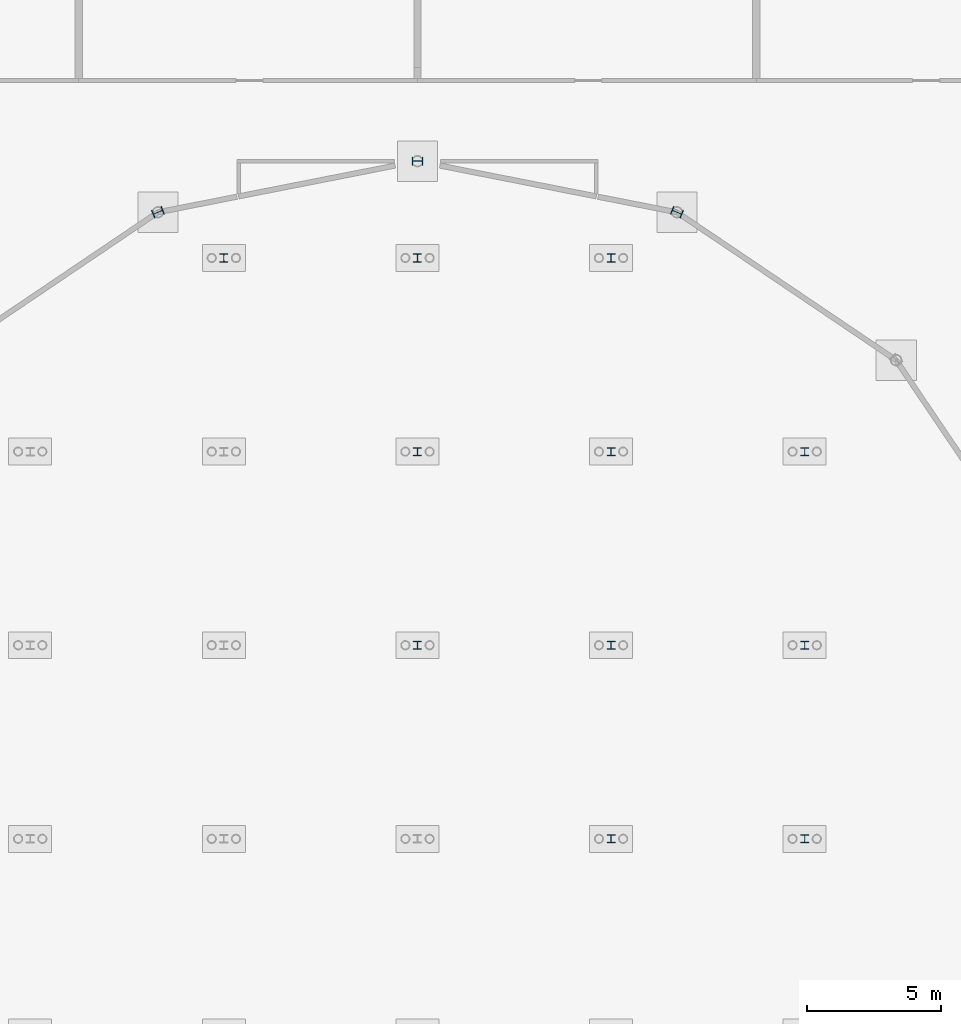
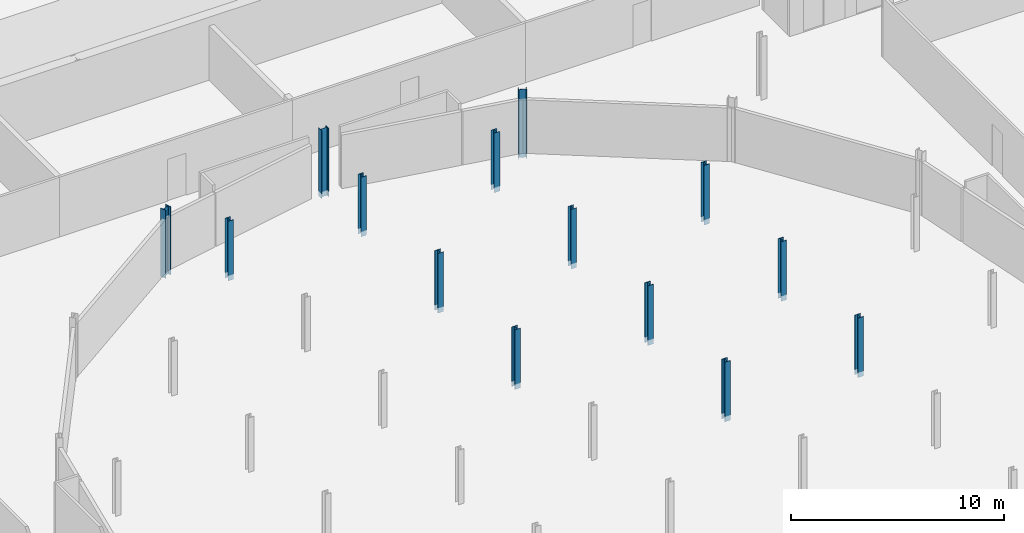
# One storey, part 47 of 148: 14 columns.
"""IFC4 building model written with IfcOpenShell, lengths in metres."""

from ifc_helpers import new_model, si_unit, direction, frame, origin, origin_2d, place, context, subcontext, project, spatial, i_section, extrude, material, material_profile, profile_set, type_object, element, save


model = new_model("IFC4")

# Units and contexts
model_context = context("Model", 3, precision=1e-05, world=origin(), true_north=direction((0.0, 1.0)))
body_context = subcontext(model_context, "Body", "Model", "MODEL_VIEW")
ifc_project = project(units=[si_unit("LENGTHUNIT", "METRE"), si_unit("AREAUNIT", "SQUARE_METRE"), si_unit("VOLUMEUNIT", "CUBIC_METRE"), si_unit("PLANEANGLEUNIT", "RADIAN"), si_unit("MASSUNIT", "GRAM", prefix="KILO")], contexts=[model_context])

# Site, building, storey
site_placement = place(None, origin())
site = spatial("IfcSite", under=ifc_project, at=site_placement, CompositionType="ELEMENT")
building_placement = place(site_placement, origin())
building = spatial("IfcBuilding", under=site, at=building_placement, Name="Kupolbacken Congress Centre", CompositionType="ELEMENT")
storey_placement = place(building_placement, origin())
storey = spatial("IfcBuildingStorey", under=building, at=storey_placement, Name="L00", CompositionType="ELEMENT", Elevation=0.0)

# Columns
ifc_material_1 = material(Name="Steel S355", Category="steel")
ifc_material_profile_1 = material_profile(ifc_material_1, i_section(OverallWidth=0.300048828125, OverallDepth=0.300048828125, WebThickness=0.010986328125, FlangeThickness=0.01904296875, FilletRadius=0.027099609375, at=origin_2d()), Name="HEB 300")
ifc_profile_set_1 = profile_set([ifc_material_profile_1], Name="Steel S355")
column_type_1 = type_object("IfcColumnType", Name="C06 column HEB 300", PredefinedType="COLUMN", material=ifc_profile_set_1)
for number, where, z_axis, x_axis, name in (
    (1, (36.0, 108.0, -0.300048828125), (0.0, 0.0, 1.0), (1.0, 0.0, 0.0), "S/col/C-PL-360-1080/L00"),
    (2, (43.199951171875, 93.60009765625, -0.300048828125), (0.0, 0.0, 1.0), (1.0, 0.0, 0.0), "S/col/C-PL-432-936/L00"),
    (3, (43.199951171875, 100.800048828125, -0.300048828125), (0.0, 0.0, 1.0), (1.0, 0.0, 0.0), "S/col/C-PL-432-1008/L00"),
    (4, (43.199951171875, 108.0, -0.300048828125), (0.0, 0.0, 1.0), (1.0, 0.0, 0.0), "S/col/C-PL-432-1080/L00"),
    (5, (50.39990234375, 86.39990234375, -0.300048828125), (0.0, 0.0, 1.0), (1.0, 0.0, 0.0), "S/col/C-PL-504-864/L00"),
    (6, (50.39990234375, 93.60009765625, -0.300048828125), (0.0, 0.0, 1.0), (1.0, 0.0, 0.0), "S/col/C-PL-504-936/L00"),
    (7, (50.39990234375, 100.800048828125, -0.300048828125), (0.0, 0.0, 1.0), (1.0, 0.0, 0.0), "S/col/C-PL-504-1008/L00"),
    (8, (50.39990234375, 108.0, -0.300048828125), (0.0, 0.0, 1.0), (1.0, 0.0, 0.0), "S/col/C-PL-504-1080/L00"),
    (9, (57.60009765625, 86.39990234375, -0.300048828125), (0.0, 0.0, 1.0), (1.0, 0.0, 0.0), "S/col/C-PL-576-864/L00"),
    (10, (57.60009765625, 93.60009765625, -0.300048828125), (0.0, 0.0, 1.0), (1.0, 0.0, 0.0), "S/col/C-PL-576-936/L00"),
    (11, (57.60009765625, 100.800048828125, -0.300048828125), (0.0, 0.0, 1.0), (1.0, 0.0, 0.0), "S/col/C-PL-576-1008/L00"),
):
    element("IfcColumn", number, at=place(storey_placement, frame(where, z_axis=z_axis, x_axis=x_axis)), inside=storey, type_object=column_type_1, Name=name, PredefinedType="COLUMN", context=body_context, shape_type="SweptSolid", body=[
        extrude(i_section(OverallWidth=0.300048828125, OverallDepth=0.300048828125, WebThickness=0.010986328125, FlangeThickness=0.01904296875, FilletRadius=0.027099609375, at=origin_2d()), origin(), (0.0, 0.0, 1.0), 3.41015625),
    ])
ifc_material_2 = material(Name="Steel S355", Category="steel")
ifc_material_profile_2 = material_profile(ifc_material_2, i_section(OverallWidth=0.300048828125, OverallDepth=0.39990234375, WebThickness=0.013427734375, FlangeThickness=0.02392578125, FilletRadius=0.027099609375, at=origin_2d()), Name="HEB 400")
ifc_profile_set_2 = profile_set([ifc_material_profile_2], Name="Steel S355")
column_type_2 = type_object("IfcColumnType", Name="C08 column HEB 400", PredefinedType="COLUMN", material=ifc_profile_set_2)
for number, where, z_axis, x_axis, name in (
    (12, (52.85009765625, 109.699951171875, -0.300048828125), (0.0, 0.0, 1.0), (0.382643629864, 0.923896018243, 0.0), "S/col/C-D04/L00"),
    (13, (43.199951171875, 111.60009765625, -0.300048828125), (0.0, 0.0, 1.0), (0.0, 1.0, 0.0), "S/col/C-D05/L00"),
    (14, (33.550048828125, 109.699951171875, -0.300048828125), (0.0, 0.0, 1.0), (-0.382643629864, 0.923896018243, 0.0), "S/col/C-D06/L00"),
):
    element("IfcColumn", number, at=place(storey_placement, frame(where, z_axis=z_axis, x_axis=x_axis)), inside=storey, type_object=column_type_2, Name=name, PredefinedType="COLUMN", context=body_context, shape_type="SweptSolid", body=[
        extrude(i_section(OverallWidth=0.300048828125, OverallDepth=0.39990234375, WebThickness=0.013427734375, FlangeThickness=0.02392578125, FilletRadius=0.027099609375, at=origin_2d()), origin(), (0.0, 0.0, 1.0), 3.900146484375),
    ])

save(model, "model.ifc")
